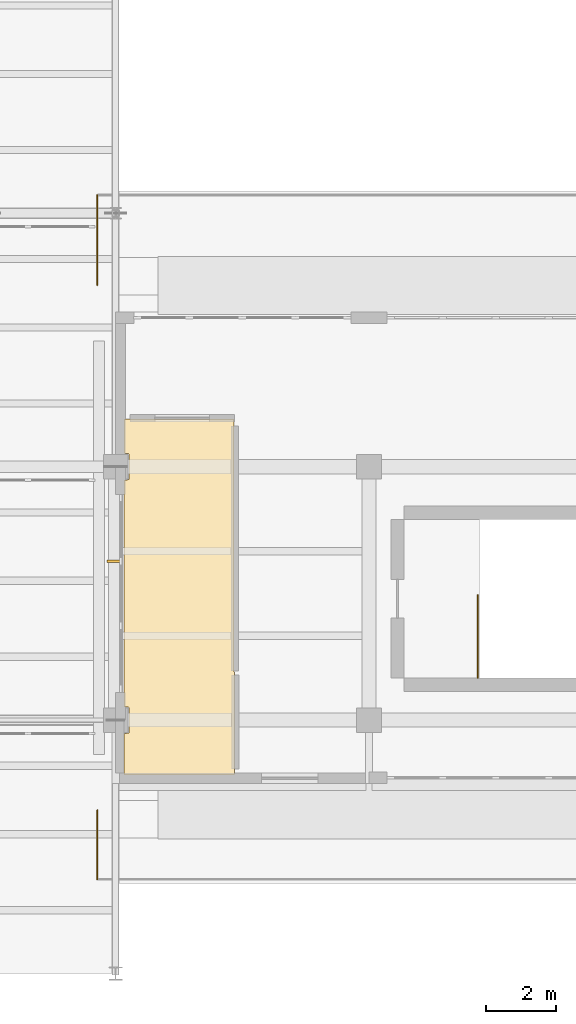
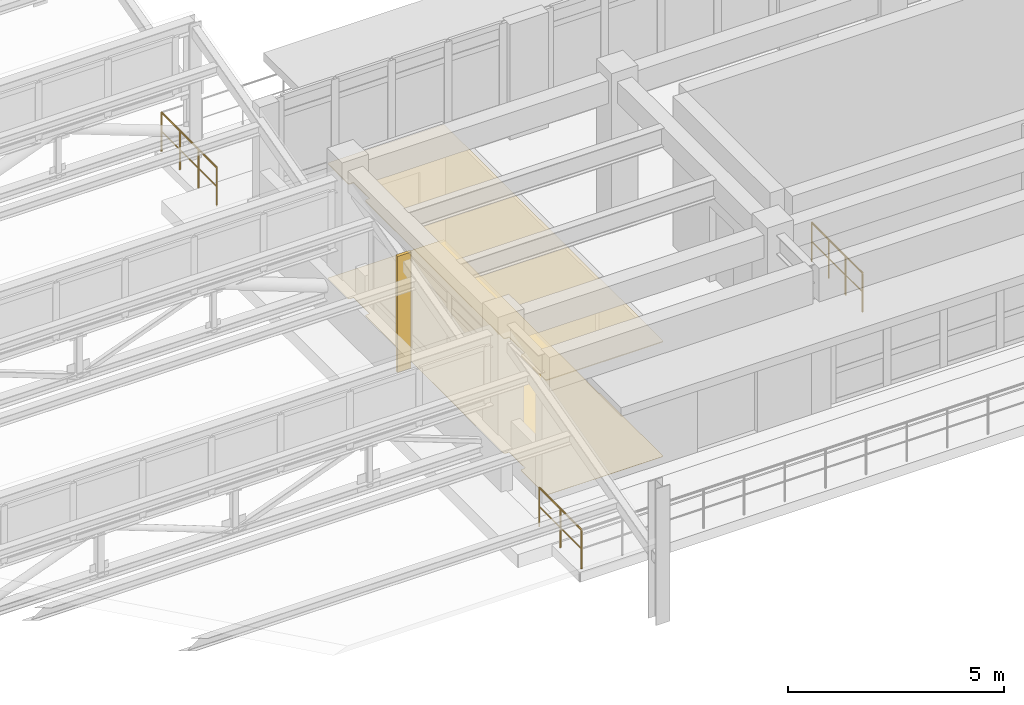
# One storey, part 50 of 55: 3 railings, 2 coverings, 1 shading device.
"""IFC4 building model written with IfcOpenShell, lengths in metres."""

from ifc_helpers import new_model, si_unit, direction, frame, origin, origin_2d, place, context, subcontext, project, spatial, polyline, rectangle, circle, outline, extrude, material, layer, layer_set, material_profile, profile_set, type_object, element, save


model = new_model("IFC4")

# Units and contexts
model_context = context("Model", 3, precision=1e-05, world=origin(), true_north=direction((0.0, 1.0)))
body_context = subcontext(model_context, "Body", "Model", "MODEL_VIEW")
ifc_project = project(units=[si_unit("LENGTHUNIT", "METRE"), si_unit("AREAUNIT", "SQUARE_METRE"), si_unit("VOLUMEUNIT", "CUBIC_METRE"), si_unit("PLANEANGLEUNIT", "RADIAN"), si_unit("MASSUNIT", "GRAM", prefix="KILO")], contexts=[model_context])

# Site, building, storey
site_placement = place(None, origin())
site = spatial("IfcSite", under=ifc_project, at=site_placement, CompositionType="ELEMENT")
building_placement = place(site_placement, origin())
building = spatial("IfcBuilding", under=site, at=building_placement, Name="Solenvale Faculty of Natural Sciences", CompositionType="ELEMENT")
storey_placement = place(building_placement, frame((0.0, 0.0, 22.5)))
storey = spatial("IfcBuildingStorey", under=building, at=storey_placement, Name="L05", CompositionType="ELEMENT", Elevation=22.5)

# Coverings
ifc_material_1 = material(Name="Acoustic mineral-timber ceiling", Category="wood")
ifc_layer_1 = layer(ifc_material_1, 0.02490234375)
ifc_layer_set_1 = layer_set([ifc_layer_1], Name="Acoustic mineral-timber ceiling")
covering_type_1 = type_object("IfcCoveringType", Name="COV-CEIL-AC25", PredefinedType="CEILING", material=ifc_layer_set_1)
covering_1_placement = place(storey_placement, frame((0.0, 0.0, 3.235107421875)))
element("IfcCovering", 1, at=covering_1_placement, inside=storey, type_object=covering_type_1, Name="L05 Marine and Freshwater Biology Laboratory Acoustic Ceiling", PredefinedType="CEILING", context=body_context, shape_type="SweptSolid", body=[
    extrude(outline(polyline([(60.929931640625, 30.159912109375), (60.950927734375, 30.15087890625), (60.9599609375, 30.1298828125), (60.9599609375, 23.0), (60.97998046875, 22.950927734375), (60.97900390625, 20.06103515625), (60.949951171875, 20.0400390625), (57.861083984375, 20.041015625), (57.840087890625, 20.070068359375), (57.840087890625, 21.197998046875), (57.861083984375, 21.22412109375), (57.97509765625, 21.23291015625), (57.97509765625, 21.964111328125), (57.966064453125, 21.97509765625), (57.861083984375, 21.97607421875), (57.840087890625, 22.0048828125), (57.840087890625, 28.39501953125), (57.861083984375, 28.424072265625), (57.97509765625, 28.43310546875), (57.97509765625, 29.1640625), (57.966064453125, 29.175048828125), (57.861083984375, 29.176025390625), (57.840087890625, 29.201904296875), (57.841064453125, 30.138916015625), (57.8701171875, 30.159912109375), (60.929931640625, 30.159912109375)])), origin(), (0.0, 0.0, 1.0), 0.02490234375),
])
ifc_material_2 = material(Name="Seamless laboratory vinyl flooring")
ifc_layer_2 = layer(ifc_material_2, 0.008056640625)
ifc_layer_set_2 = layer_set([ifc_layer_2], Name="Seamless laboratory vinyl flooring")
covering_type_2 = type_object("IfcCoveringType", Name="COV-FLR-VNL08", PredefinedType="FLOORING", material=ifc_layer_set_2)
covering_2_placement = place(storey_placement, origin())
element("IfcCovering", 2, at=covering_2_placement, inside=storey, type_object=covering_type_2, Name="L05 Marine and Freshwater Biology Laboratory Floor Finish", PredefinedType="FLOORING", context=body_context, shape_type="SweptSolid", body=[
    extrude(outline(polyline([(60.929931640625, 30.159912109375), (60.950927734375, 30.15087890625), (60.9599609375, 30.1298828125), (60.9599609375, 23.0), (60.97998046875, 22.950927734375), (60.97900390625, 20.06103515625), (60.949951171875, 20.0400390625), (57.861083984375, 20.041015625), (57.840087890625, 20.070068359375), (57.840087890625, 21.197998046875), (57.861083984375, 21.22412109375), (57.97509765625, 21.23291015625), (57.97509765625, 21.964111328125), (57.966064453125, 21.97509765625), (57.861083984375, 21.97607421875), (57.840087890625, 22.0048828125), (57.840087890625, 28.39501953125), (57.861083984375, 28.424072265625), (57.97509765625, 28.43310546875), (57.97509765625, 29.1640625), (57.966064453125, 29.175048828125), (57.861083984375, 29.176025390625), (57.840087890625, 29.201904296875), (57.841064453125, 30.138916015625), (57.8701171875, 30.159912109375), (60.929931640625, 30.159912109375)])), origin(), (0.0, 0.0, 1.0), 0.008056640625),
])

# Railings
ifc_material_3 = material(Name="Stainless steel Grade 304", Category="steel")
railing_type_1 = type_object("IfcRailingType", Name="RL-GRD-1100", PredefinedType="GUARDRAIL", material=ifc_material_3)
railing_1_placement = place(storey_placement, frame((67.889892578125, 22.800048828125, 0.0)))
element("IfcRailing", 3, at=railing_1_placement, inside=storey, type_object=railing_type_1, Name="L05 ST-03 top well guard 1", PredefinedType="GUARDRAIL", context=body_context, shape_type="SweptSolid", body=[
    extrude(circle(Radius=0.02392578125, at=origin_2d()), frame((0.0, 0.0, 1.09619140625), z_axis=(0.0, 1.0, 0.0), x_axis=(-1.0, 0.0, 0.0)), (0.0, 0.0, 1.0), 2.349853515625),
    extrude(circle(Radius=0.01611328125, at=origin_2d()), frame((0.0, 0.0, 0.56005859375), z_axis=(0.0, 1.0, 0.0), x_axis=(-1.0, 0.0, 0.0)), (0.0, 0.0, 1.0), 2.349853515625),
    extrude(circle(Radius=0.02099609375, at=origin_2d()), origin(), (0.0, 0.0, 1.0), 1.072021484375),
    extrude(circle(Radius=0.02099609375, at=origin_2d()), frame((0.0, 0.783203125, 0.0)), (0.0, 0.0, 1.0), 1.072021484375),
    extrude(circle(Radius=0.02099609375, at=origin_2d()), frame((0.0, 1.566650390625, 0.0)), (0.0, 0.0, 1.0), 1.072021484375),
    extrude(circle(Radius=0.02099609375, at=origin_2d()), frame((0.0, 2.349853515625, 0.0)), (0.0, 0.0, 1.0), 1.072021484375),
])
railing_type_2 = type_object("IfcRailingType", Name="RL-TERR-1100", PredefinedType="GUARDRAIL", material=ifc_material_3)
railing_2_placement = place(storey_placement, frame((57.080078125, 33.9599609375, 0.0)))
element("IfcRailing", 4, at=railing_2_placement, inside=storey, type_object=railing_type_2, Name="L05 Terrace Guardrail 1.3", PredefinedType="GUARDRAIL", context=body_context, shape_type="SweptSolid", body=[
    extrude(circle(Radius=0.02392578125, at=origin_2d()), frame((0.0, 0.0, 1.09619140625), z_axis=(0.0, 1.0, 0.0), x_axis=(-1.0, 0.0, 0.0)), (0.0, 0.0, 1.0), 2.56005859375),
    extrude(circle(Radius=0.01611328125, at=origin_2d()), frame((0.0, 0.0, 0.56005859375), z_axis=(0.0, 1.0, 0.0), x_axis=(-1.0, 0.0, 0.0)), (0.0, 0.0, 1.0), 2.56005859375),
    extrude(circle(Radius=0.02099609375, at=origin_2d()), origin(), (0.0, 0.0, 1.0), 1.072021484375),
    extrude(circle(Radius=0.02099609375, at=origin_2d()), frame((0.0, 0.853271484375, 0.0)), (0.0, 0.0, 1.0), 1.072021484375),
    extrude(circle(Radius=0.02099609375, at=origin_2d()), frame((0.0, 1.706787109375, 0.0)), (0.0, 0.0, 1.0), 1.072021484375),
    extrude(circle(Radius=0.02099609375, at=origin_2d()), frame((0.0, 2.56005859375, 0.0)), (0.0, 0.0, 1.0), 1.072021484375),
])
railing_3_placement = place(storey_placement, frame((57.080078125, 17.080078125, 0.0)))
element("IfcRailing", 5, at=railing_3_placement, inside=storey, type_object=railing_type_2, Name="L05 Terrace Guardrail 2.3", PredefinedType="GUARDRAIL", context=body_context, shape_type="SweptSolid", body=[
    extrude(circle(Radius=0.02392578125, at=origin_2d()), frame((0.0, 0.0, 1.09619140625), z_axis=(0.0, 1.0, 0.0), x_axis=(-1.0, 0.0, 0.0)), (0.0, 0.0, 1.0), 1.9599609375),
    extrude(circle(Radius=0.01611328125, at=origin_2d()), frame((0.0, 0.0, 0.56005859375), z_axis=(0.0, 1.0, 0.0), x_axis=(-1.0, 0.0, 0.0)), (0.0, 0.0, 1.0), 1.9599609375),
    extrude(circle(Radius=0.02099609375, at=origin_2d()), origin(), (0.0, 0.0, 1.0), 1.072021484375),
    extrude(circle(Radius=0.02099609375, at=origin_2d()), frame((0.0, 0.97998046875, 0.0)), (0.0, 0.0, 1.0), 1.072021484375),
    extrude(circle(Radius=0.02099609375, at=origin_2d()), frame((0.0, 1.9599609375, 0.0)), (0.0, 0.0, 1.0), 1.072021484375),
])

# Shading device
ifc_material_4 = material(Name="Anodised bronze aluminium", Category="aluminium")
ifc_material_profile = material_profile(ifc_material_4, rectangle(XDim=0.080078125, YDim=0.360107421875, at=origin_2d()), Name="ALU-FIN-80x360")
ifc_profile_set = profile_set([ifc_material_profile], Name="Anodised bronze aluminium")
shading_device_type = type_object("IfcShadingDeviceType", Name="SHD-FIN-360", PredefinedType="JALOUSIE", material=ifc_profile_set)
shading_device_placement = place(storey_placement, frame((57.5400390625, 26.11669921875, -0.02001953125), z_axis=(0.0, 0.0, 1.0), x_axis=(0.0, 1.0, 0.0)))
element("IfcShadingDevice", 6, at=shading_device_placement, inside=storey, type_object=shading_device_type, Name="L05 Vertical Brise-Soleil Fin 3.2", PredefinedType="JALOUSIE", context=body_context, shape_type="SweptSolid", body=[
    extrude(rectangle(XDim=0.080078125, YDim=0.360107421875, at=origin_2d()), origin(), (0.0, 0.0, 1.0), 3.280029296875),
])

save(model, "model.ifc")
